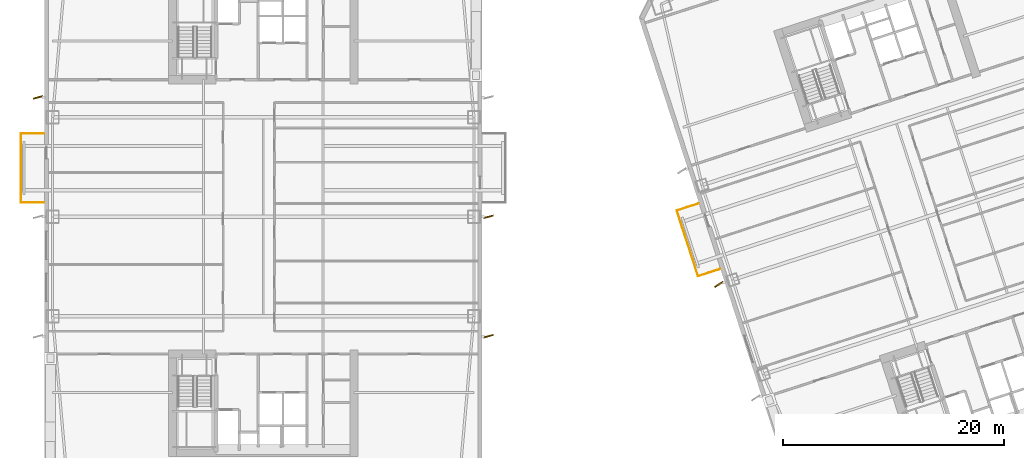
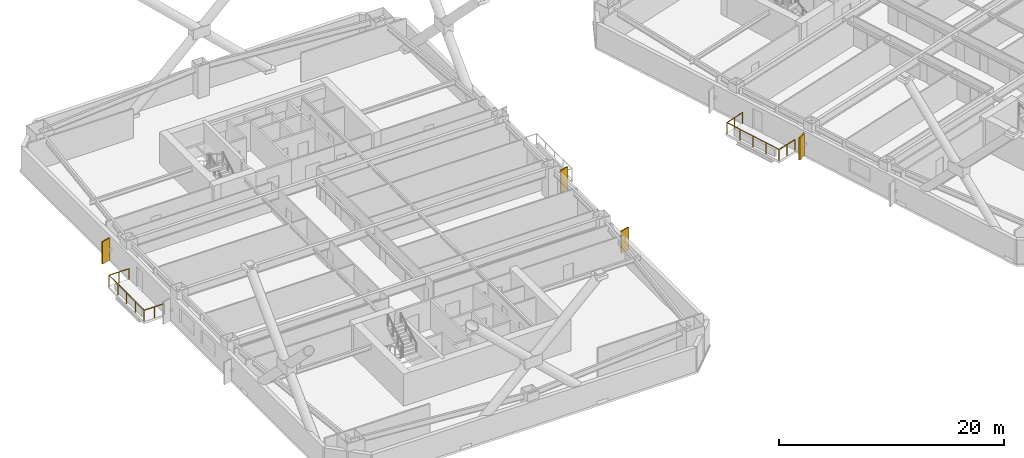
# One storey, part 14 of 18: 4 shading devices, 2 railings.
"""IFC4 building model written with IfcOpenShell, lengths in metres."""

from ifc_helpers import new_model, si_unit, direction, frame, origin, origin_2d, place, context, subcontext, project, spatial, rectangle, circle, extrude, material, layer, layer_set, type_object, element, save


model = new_model("IFC4")

# Units and contexts
model_context = context("Model", 3, precision=1e-05, world=origin(), true_north=direction((0.0, 1.0)))
body_context = subcontext(model_context, "Body", "Model", "MODEL_VIEW")
ifc_project = project(units=[si_unit("LENGTHUNIT", "METRE"), si_unit("AREAUNIT", "SQUARE_METRE"), si_unit("VOLUMEUNIT", "CUBIC_METRE"), si_unit("PLANEANGLEUNIT", "RADIAN"), si_unit("MASSUNIT", "GRAM", prefix="KILO")], contexts=[model_context])

# Site, building, storey
site_placement = place(None, origin())
site = spatial("IfcSite", under=ifc_project, at=site_placement, CompositionType="ELEMENT")
building_placement = place(site_placement, origin())
building = spatial("IfcBuilding", under=site, at=building_placement, Name="Qiaolan Cultural Towers", CompositionType="ELEMENT")
storey_placement = place(building_placement, frame((0.0, 0.0, 57.5)))
storey = spatial("IfcBuildingStorey", under=building, at=storey_placement, Name="L13", CompositionType="ELEMENT", Elevation=57.5)

# Railings
ifc_material_1 = material(Name="Laminated SentryGlas & Stainless Steel S31608 Balustrade", Category="steel")
railing_type = type_object("IfcRailingType", Name="GRD-TERR-1200", PredefinedType="BALUSTRADE", material=ifc_material_1)
railing_1_placement = place(storey_placement, frame((10.14990234375, 35.280029296875, 0.0)))
element("IfcRailing", 1, at=railing_1_placement, inside=storey, type_object=railing_type, Name="L13 T1 Tree Balcony Guardrail W", PredefinedType="BALUSTRADE", context=body_context, shape_type="SweptSolid", body=[
    extrude(circle(Radius=0.02392578125, at=origin_2d()), frame((0.0, 0.0, 1.17578125), z_axis=(-1.0, 0.0, 0.0), x_axis=(0.0, -1.0, 0.0)), (0.0, 0.0, 1.0), 2.06982421875),
    extrude(circle(Radius=0.02392578125, at=origin_2d()), frame((-2.06982421875, 0.0, 1.17578125), z_axis=(0.0, 1.0, 0.0), x_axis=(-1.0, 0.0, 0.0)), (0.0, 0.0, 1.0), 6.239990234375),
    extrude(circle(Radius=0.02392578125, at=origin_2d()), frame((-2.06982421875, 6.239990234375, 1.17578125), z_axis=(1.0, 0.0, 0.0), x_axis=(0.0, 1.0, 0.0)), (0.0, 0.0, 1.0), 2.06982421875),
    extrude(circle(Radius=0.02099609375, at=origin_2d()), origin(), (0.0, 0.0, 1.0), 1.15185546875),
    extrude(circle(Radius=0.02099609375, at=origin_2d()), frame((-1.034912109375, 0.0, 0.0)), (0.0, 0.0, 1.0), 1.15185546875),
    extrude(circle(Radius=0.02099609375, at=origin_2d()), frame((-2.06982421875, 0.0, 0.0)), (0.0, 0.0, 1.0), 1.15185546875),
    extrude(circle(Radius=0.02099609375, at=origin_2d()), frame((-2.06982421875, 1.56005859375, 0.0)), (0.0, 0.0, 1.0), 1.15185546875),
    extrude(circle(Radius=0.02099609375, at=origin_2d()), frame((-2.06982421875, 3.1201171875, 0.0)), (0.0, 0.0, 1.0), 1.15185546875),
    extrude(circle(Radius=0.02099609375, at=origin_2d()), frame((-2.06982421875, 4.679931640625, 0.0)), (0.0, 0.0, 1.0), 1.15185546875),
    extrude(circle(Radius=0.02099609375, at=origin_2d()), frame((-2.06982421875, 6.239990234375, 0.0)), (0.0, 0.0, 1.0), 1.15185546875),
    extrude(circle(Radius=0.02099609375, at=origin_2d()), frame((-1.034912109375, 6.239990234375, 0.0)), (0.0, 0.0, 1.0), 1.15185546875),
    extrude(circle(Radius=0.02099609375, at=origin_2d()), frame((0.0, 6.239990234375, 0.0)), (0.0, 0.0, 1.0), 1.15185546875),
])
railing_2_placement = place(storey_placement, frame((71.296630859375, 29.268798828125, 0.0)))
element("IfcRailing", 2, at=railing_2_placement, inside=storey, type_object=railing_type, Name="L13 T2 Tree Balcony Guardrail W", PredefinedType="BALUSTRADE", context=body_context, shape_type="SweptSolid", body=[
    extrude(circle(Radius=0.02392578125, at=origin_2d()), frame((0.0, 0.0, 1.17578125), z_axis=(-0.951061799618, -0.309000733507, 0.0), x_axis=(0.309000733507, -0.951061799618, 0.0)), (0.0, 0.0, 1.0), 2.070068359375),
    extrude(circle(Radius=0.02392578125, at=origin_2d()), frame((-1.96875, -0.6396484375, 1.17578125), z_axis=(-0.30901175762, 0.951058217804, 0.0), x_axis=(-0.951058217804, -0.30901175762, 0.0)), (0.0, 0.0, 1.0), 6.239990234375),
    extrude(circle(Radius=0.02392578125, at=origin_2d()), frame((-3.89697265625, 5.294921875, 1.17578125), z_axis=(0.951061799618, 0.309000733507, 0.0), x_axis=(-0.309000733507, 0.951061799618, 0.0)), (0.0, 0.0, 1.0), 2.070068359375),
    extrude(circle(Radius=0.02099609375, at=origin_2d()), origin(), (0.0, 0.0, 1.0), 1.15185546875),
    extrude(circle(Radius=0.02099609375, at=origin_2d()), frame((-0.984375, -0.31982421875, 0.0)), (0.0, 0.0, 1.0), 1.15185546875),
    extrude(circle(Radius=0.02099609375, at=origin_2d()), frame((-1.96875, -0.6396484375, 0.0)), (0.0, 0.0, 1.0), 1.15185546875),
    extrude(circle(Radius=0.02099609375, at=origin_2d()), frame((-2.45068359375, 0.843994140625, 0.0)), (0.0, 0.0, 1.0), 1.15185546875),
    extrude(circle(Radius=0.02099609375, at=origin_2d()), frame((-2.932861328125, 2.32763671875, 0.0)), (0.0, 0.0, 1.0), 1.15185546875),
    extrude(circle(Radius=0.02099609375, at=origin_2d()), frame((-3.4150390625, 3.811279296875, 0.0)), (0.0, 0.0, 1.0), 1.15185546875),
    extrude(circle(Radius=0.02099609375, at=origin_2d()), frame((-3.89697265625, 5.294921875, 0.0)), (0.0, 0.0, 1.0), 1.15185546875),
    extrude(circle(Radius=0.02099609375, at=origin_2d()), frame((-2.91259765625, 5.61474609375, 0.0)), (0.0, 0.0, 1.0), 1.15185546875),
    extrude(circle(Radius=0.02099609375, at=origin_2d()), frame((-1.92822265625, 5.9345703125, 0.0)), (0.0, 0.0, 1.0), 1.15185546875),
])

# Shading devices
ifc_material_2 = material(Name="Dark Basalt Honed Precast Terracotta Fin", Category="masonry")
ifc_layer = layer(ifc_material_2, 0.1201171875)
ifc_layer_set = layer_set([ifc_layer], Name="Dark Basalt Honed Precast Terracotta Fin")
shading_device_type = type_object("IfcShadingDeviceType", Name="SHD-FIN-DARK", PredefinedType="USERDEFINED", material=ifc_layer_set)
for number, where, z_axis, x_axis, name in (
    (3, (9.639892578125, 44.800048828125, 0.10009765625), (0.0, 0.0, 1.0), (0.966947591282, 0.254975206077, 0.0), "L13 T1 Expressive Precast Vertical Fin W3"),
    (4, (50.360107421875, 23.199951171875, 0.10009765625), (0.0, 0.0, 1.0), (0.966947591282, 0.254975206077, 0.0), "L13 T1 Expressive Precast Vertical Fin E1"),
    (5, (50.360107421875, 34.0, 0.10009765625), (0.0, 0.0, 1.0), (0.966947591282, 0.254975206077, 0.0), "L13 T1 Expressive Precast Vertical Fin E2"),
    (6, (71.20703125, 27.893798828125, 0.10009765625), (0.0, 0.0, 1.0), (0.840830135782, 0.54129906961, 0.0), "L13 T2 Expressive Precast Vertical Fin W2"),
):
    element("IfcShadingDevice", number, at=place(storey_placement, frame(where, z_axis=z_axis, x_axis=x_axis)), inside=storey, type_object=shading_device_type, Name=name, ObjectType="FIN", PredefinedType="USERDEFINED", context=body_context, shape_type="SweptSolid", body=[
        extrude(rectangle(XDim=0.89990234375, YDim=0.1201171875, at=origin_2d()), origin(), (0.0, 0.0, 1.0), 2.409912109375),
    ])

save(model, "model.ifc")
